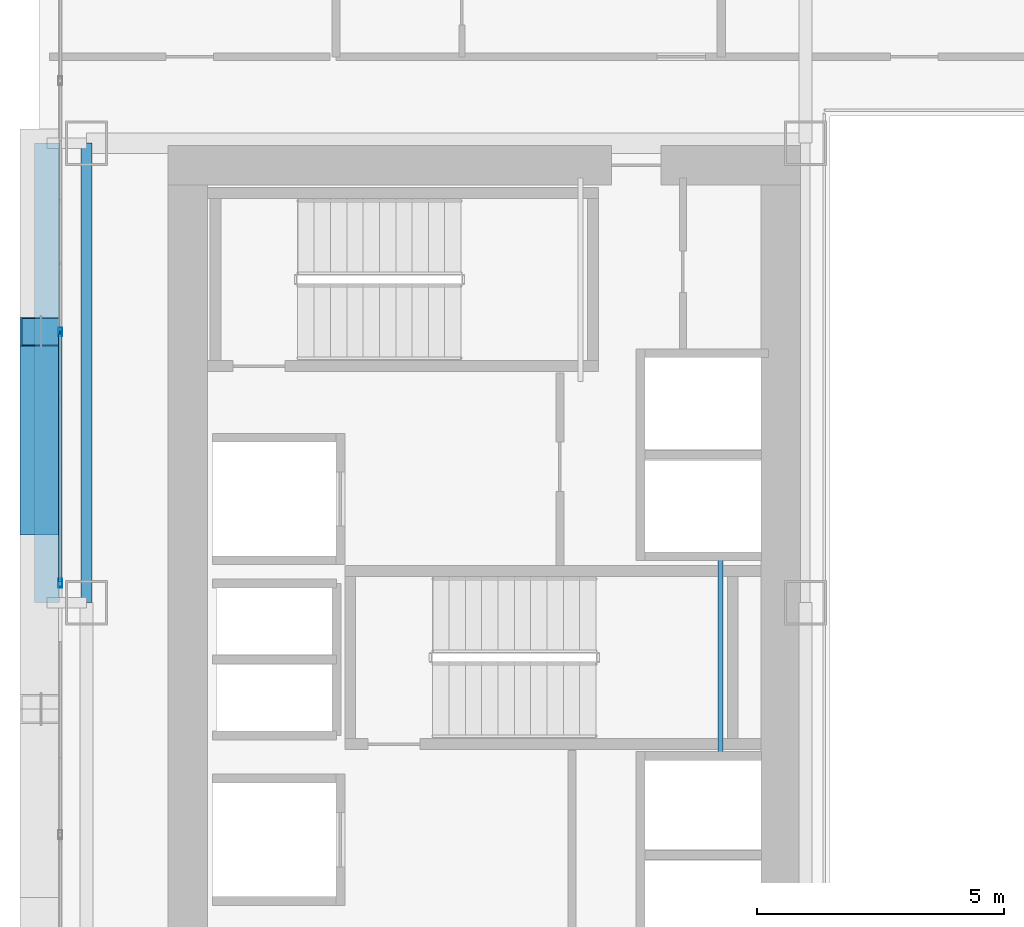
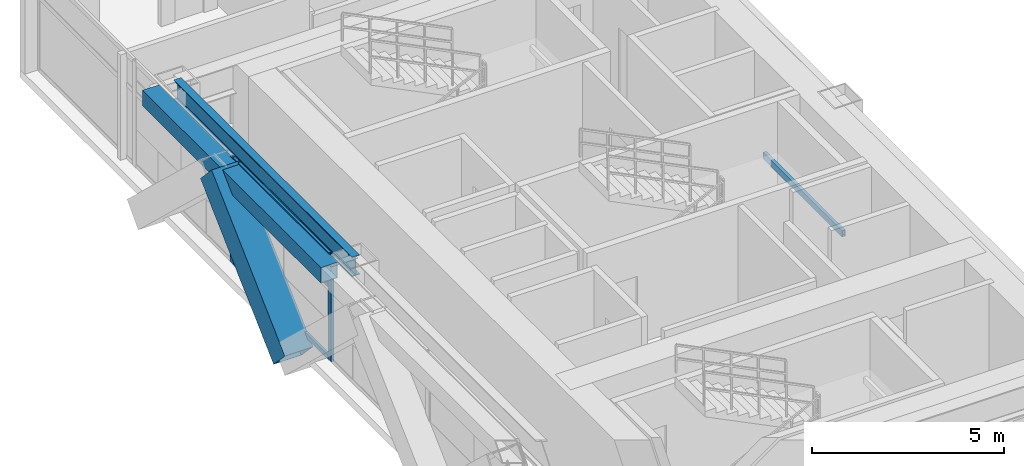
# One storey, part 8 of 35: 6 members, 3 beams, 1 element without a shape of its own.
"""IFC4 building model written with IfcOpenShell, lengths in metres."""

import ifcopenshell
import ifcopenshell.guid

model = None  # the IFC model being written
_history = None  # IfcOwnerHistory: only IFC2X3 demands one
_inside = {}  # id of a spatial element -> (the spatial element, [elements in it])
_under = {}  # id of a project, library or spatial element -> (it, [spatial elements below it])
_declared = {}  # id of a project -> (the project, [libraries it declares])
_typed = {}  # id of a type object -> (the type object, [elements of that type])
_made_of = {}  # id of a material, layer set ... -> (it, [elements and type objects made of it])


def new_model(schema):
    """Start an empty IFC model of exactly this schema.

    Asked for "IFC4X3", IfcOpenShell would pick the latest addendum, in which some entities
    have other attributes; the version numbers below select the first issue.
    IFC2X3 requires an IfcOwnerHistory on every rooted entity: one is made here for all.
    """
    global model, _history
    if schema == "IFC4X3":
        model = ifcopenshell.file(schema_version=(4, 3, 0, 0))
    else:
        model = ifcopenshell.file(schema=schema)
    _inside.clear()
    _under.clear()
    _declared.clear()
    _typed.clear()
    _made_of.clear()
    _history = None
    if model.schema == "IFC2X3":
        org = make("IfcOrganization", Name="unknown")
        user = make(
            "IfcPersonAndOrganization",
            ThePerson=make("IfcPerson", FamilyName="unknown"),
            TheOrganization=org,
        )
        app = make(
            "IfcApplication",
            ApplicationDeveloper=org,
            Version="unknown",
            ApplicationFullName="unknown",
            ApplicationIdentifier="unknown",
        )
        _history = make(
            "IfcOwnerHistory",
            OwningUser=user,
            OwningApplication=app,
            ChangeAction="ADDED",
            CreationDate=0,
        )
    return model


def make(cls, **values):
    """One entity of the class cls with the attributes given. An attribute that is None is left unset."""
    return model.create_entity(
        cls, **{name: value for name, value in values.items() if value is not None}
    )


def rooted(cls, **values):
    """An entity with a GlobalId (a new one), such as an element, a storey or a relation."""
    return make(cls, GlobalId=ifcopenshell.guid.new(), OwnerHistory=_history, **values)


def si_unit(unit_type, name, prefix=None):
    """IfcSIUnit, for example si_unit("LENGTHUNIT", "METRE", prefix="MILLI")."""
    return make("IfcSIUnit", UnitType=unit_type, Prefix=prefix, Name=name)


def assignment(units):
    """IfcUnitAssignment: the units of a project."""
    return None if units is None else make("IfcUnitAssignment", Units=units)


def point(xyz):
    """IfcCartesianPoint."""
    return None if xyz is None else make("IfcCartesianPoint", Coordinates=xyz)


def direction(xyz):
    """IfcDirection."""
    return None if xyz is None else make("IfcDirection", DirectionRatios=xyz)


def frame(location, z_axis=None, x_axis=None):
    """IfcAxis2Placement3D, a coordinate frame: its origin and axes. An axis left out is left unset."""
    return make(
        "IfcAxis2Placement3D",
        Location=point(location),
        Axis=direction(z_axis),
        RefDirection=direction(x_axis),
    )


def frame_2d(location, x_axis=None):
    """IfcAxis2Placement2D, a coordinate frame in the plane: its origin and x axis."""
    return make(
        "IfcAxis2Placement2D", Location=point(location), RefDirection=direction(x_axis)
    )


def origin():
    """The frame at (0, 0, 0) with its axes left unset."""
    return frame((0.0, 0.0, 0.0))


def origin_2d():
    """The frame at (0, 0) in the plane with its x axis left unset."""
    return frame_2d((0.0, 0.0))


def place(relative_to, where):
    """IfcLocalPlacement: puts the frame where relative to a parent placement (None: the world)."""
    return make(
        "IfcLocalPlacement", PlacementRelTo=relative_to, RelativePlacement=where
    )


def context(
    kind, dimensions, precision=None, world=None, true_north=None, identifier=None
):
    """IfcGeometricRepresentationContext, for example the 3D "Model" context."""
    return make(
        "IfcGeometricRepresentationContext",
        ContextIdentifier=identifier,
        ContextType=kind,
        CoordinateSpaceDimension=dimensions,
        Precision=precision,
        WorldCoordinateSystem=world,
        TrueNorth=true_north,
    )


def subcontext(parent, identifier, kind, view, scale=None):
    """IfcGeometricRepresentationSubContext, for example "Body" below "Model"."""
    return make(
        "IfcGeometricRepresentationSubContext",
        ContextIdentifier=identifier,
        ContextType=kind,
        ParentContext=parent,
        TargetScale=scale,
        TargetView=view,
    )


def project(units=None, contexts=None):
    """IfcProject with its units and contexts."""
    return rooted(
        "IfcProject",
        Name="project",
        RepresentationContexts=contexts,
        UnitsInContext=assignment(units),
    )


def spatial(cls, under=None, at=None, **own):
    """A site, building, storey or space (cls), placed at a placement, below another one or the project."""
    s = rooted(cls, ObjectPlacement=at, **own)
    if under is not None:
        _under.setdefault(under.id(), (under, []))[1].append(s)
    return s


def profile(cls, at=None, kind="AREA", **sizes):
    """A parametric profile (cls). Its sizes go by their IFC names, for example OverallWidth=200.0."""
    return make(cls, ProfileType=kind, Position=at, **sizes)


def hollow_rectangle(**sizes):
    """IfcRectangleHollowProfileDef."""
    return profile("IfcRectangleHollowProfileDef", **sizes)


def i_section(**sizes):
    """IfcIShapeProfileDef."""
    return profile("IfcIShapeProfileDef", **sizes)


def extrude(swept, where, along, depth):
    """IfcExtrudedAreaSolid: the profile swept, set in the frame where, extruded along a direction by depth."""
    return make(
        "IfcExtrudedAreaSolid",
        SweptArea=swept,
        Position=where,
        ExtrudedDirection=direction(along),
        Depth=depth,
    )


def shape(context_of_items, identifier, shape_type, items):
    """IfcShapeRepresentation: the items that make up one representation, for example the "Body"."""
    return make(
        "IfcShapeRepresentation",
        ContextOfItems=context_of_items,
        RepresentationIdentifier=identifier,
        RepresentationType=shape_type,
        Items=items,
    )


def source(mapping_origin, context_of_items, identifier, shape_type, items):
    """IfcRepresentationMap: a shape defined once, which mapped items show again and again."""
    return make(
        "IfcRepresentationMap",
        MappingOrigin=mapping_origin,
        MappedRepresentation=shape(context_of_items, identifier, shape_type, items),
    )


def transform(
    local_origin,
    x_axis=None,
    y_axis=None,
    z_axis=None,
    scale=None,
    scale2=None,
    scale3=None,
    uniform=True,
):
    """IfcCartesianTransformationOperator3D, or its non-uniform kind. x_axis, y_axis, z_axis: its Axis1, 2, 3."""
    if uniform:
        return make(
            "IfcCartesianTransformationOperator3D",
            Axis1=direction(x_axis),
            Axis2=direction(y_axis),
            LocalOrigin=point(local_origin),
            Scale=scale,
            Axis3=direction(z_axis),
        )
    return make(
        "IfcCartesianTransformationOperator3DnonUniform",
        Axis1=direction(x_axis),
        Axis2=direction(y_axis),
        LocalOrigin=point(local_origin),
        Scale=scale,
        Axis3=direction(z_axis),
        Scale2=scale2,
        Scale3=scale3,
    )


def mapped(mapping_source, mapping_target):
    """IfcMappedItem: shows the shape of a source again, moved by a transform."""
    return make(
        "IfcMappedItem", MappingSource=mapping_source, MappingTarget=mapping_target
    )


def material(Name=None, Category=None):
    """IfcMaterial."""
    return make("IfcMaterial", Name=Name, Category=Category)


def layer(
    of_material, thickness, ventilated=None, Name=None, Category=None, Priority=None
):
    """IfcMaterialLayer: one layer of a wall or slab, of a material (None: an air gap)."""
    return make(
        "IfcMaterialLayer",
        Material=of_material,
        LayerThickness=thickness,
        IsVentilated=ventilated,
        Name=Name,
        Category=Category,
        Priority=Priority,
    )


def layer_set(layers, Name=None):
    """IfcMaterialLayerSet."""
    return make("IfcMaterialLayerSet", MaterialLayers=layers, LayerSetName=Name)


def material_profile(
    of_material, cross_section, Name=None, Category=None, Priority=None
):
    """IfcMaterialProfile: a cross section and its material."""
    return make(
        "IfcMaterialProfile",
        Name=Name,
        Material=of_material,
        Profile=cross_section,
        Priority=Priority,
        Category=Category,
    )


def profile_set(profiles, Name=None, composite=None):
    """IfcMaterialProfileSet."""
    return make(
        "IfcMaterialProfileSet",
        Name=Name,
        MaterialProfiles=profiles,
        CompositeProfile=composite,
    )


def made_of(thing, what):
    """Note that an element or type object is made of a material, layer set ...; save() writes the relation."""
    if what is not None:
        _made_of.setdefault(what.id(), (what, []))[1].append(thing)
    return thing


def type_object(cls, material=None, **own):
    """A type object (cls), such as IfcWallType, which elements share."""
    return made_of(rooted(cls, **own), material)


def element(
    cls,
    number,
    at=None,
    inside=None,
    cuts=None,
    type_object=None,
    material=None,
    context=None,
    identifier="Body",
    shape_type=None,
    held_by="IfcProductDefinitionShape",
    body=None,
    shapes=None,
    **own,
):
    """One element of the class cls, such as IfcWall. Its Tag is "e" and its number.

    at: its placement. inside: the storey or other place that contains it. cuts: it is an
    opening in that element (IfcRelVoidsElement). A single representation is given by context,
    identifier, shape_type and body (its items); several are given by shapes. held_by: the class
    of the entity that holds the representations. save() writes the other relations.
    """
    e = rooted(cls, Tag="e%d" % number, ObjectPlacement=at, **own)
    if body is not None:
        shapes = [shape(context, identifier, shape_type, body)]
    if shapes is not None:
        e.Representation = make(held_by, Representations=shapes)
    if inside is not None:
        _inside.setdefault(inside.id(), (inside, []))[1].append(e)
    if cuts is not None:
        rooted(
            "IfcRelVoidsElement", RelatingBuildingElement=cuts, RelatedOpeningElement=e
        )
    if type_object is not None:
        _typed.setdefault(type_object.id(), (type_object, []))[1].append(e)
    return made_of(e, material)


def aggregate(whole, parts):
    """IfcRelAggregates: a whole, such as a stair, and the parts it consists of."""
    return rooted("IfcRelAggregates", RelatingObject=whole, RelatedObjects=parts)


def save(model, path):
    """Write the relations noted so far, then the file.

    IfcRelAggregates (storeys below a building ...), IfcRelContainedInSpatialStructure (elements
    in a storey), IfcRelDefinesByType, IfcRelAssociatesMaterial and IfcRelDeclares: one each for
    every whole, place, type object, material and project.
    """
    for whole, parts in _under.values():
        aggregate(whole, parts)
    for where, things in _inside.values():
        rooted(
            "IfcRelContainedInSpatialStructure",
            RelatedElements=things,
            RelatingStructure=where,
        )
    for kind, things in _typed.values():
        rooted("IfcRelDefinesByType", RelatedObjects=things, RelatingType=kind)
    for what, things in _made_of.values():
        rooted("IfcRelAssociatesMaterial", RelatedObjects=things, RelatingMaterial=what)
    for by, libraries in _declared.values():
        rooted("IfcRelDeclares", RelatingContext=by, RelatedDefinitions=libraries)
    model.write(path)


model = new_model("IFC4")

# Units and contexts
model_context = context("Model", 3, precision=1e-05, world=origin(), true_north=direction((0.0, 1.0)))
body_context = subcontext(model_context, "Body", "Model", "MODEL_VIEW")
ifc_project = project(units=[si_unit("LENGTHUNIT", "METRE"), si_unit("AREAUNIT", "SQUARE_METRE"), si_unit("VOLUMEUNIT", "CUBIC_METRE"), si_unit("PLANEANGLEUNIT", "RADIAN"), si_unit("MASSUNIT", "GRAM", prefix="KILO")], contexts=[model_context])

# Site, building, storey
site_placement = place(None, origin())
site = spatial("IfcSite", under=ifc_project, at=site_placement, CompositionType="ELEMENT")
building_placement = place(site_placement, origin())
building = spatial("IfcBuilding", under=site, at=building_placement, Name="Ocotamira Hotel", CompositionType="ELEMENT")
storey_placement = place(building_placement, frame((0.0, 0.0, 56.39990234375)))
storey = spatial("IfcBuildingStorey", under=building, at=storey_placement, Name="L13", CompositionType="ELEMENT", Elevation=56.39990234375)

# Beams
ifc_material_1 = material(Name="Steel ASTM A500 Grade C", Category="steel")
ifc_material_profile_1 = material_profile(ifc_material_1, hollow_rectangle(XDim=0.10009765625, YDim=0.199951171875, WallThickness=0.008056640625, at=origin_2d()), Name="HSS200X100X8")
ifc_profile_set_1 = profile_set([ifc_material_profile_1], Name="Steel ASTM A500 Grade C")
beam_type_1 = type_object("IfcBeamType", Name="BM-STLDG-HSS200", PredefinedType="BEAM", material=ifc_profile_set_1)
shared_shape_1 = source(origin(), body_context, "Body", "SweptSolid", [
    extrude(hollow_rectangle(XDim=0.10009765625, YDim=0.199951171875, WallThickness=0.008056640625, at=origin_2d()), origin(), (0.0, 0.0, 1.0), 4.1201171875),
])
beam_1_placement = place(storey_placement, frame((21.780029296875, 24.97998046875, 1.5), z_axis=(0.0, 1.0, 0.0), x_axis=(-1.0, 0.0, 0.0)))
element("IfcBeam", 1, at=beam_1_placement, inside=storey, type_object=beam_type_1, Name="L13 Stair ST-3 Landing Bearer 1", PredefinedType="BEAM", context=body_context, shape_type="MappedRepresentation", body=[
    mapped(shared_shape_1, transform((0.0, 0.0, 0.0), scale=1.0)),
])
ifc_material_2 = material(Name="Steel ASTM A992 Grade 50", Category="steel")
ifc_material_profile_2 = material_profile(ifc_material_2, i_section(OverallWidth=0.22998046875, OverallDepth=0.616943359375, WebThickness=0.01318359375, FlangeThickness=0.022216796875, FilletRadius=0.012939453125, at=origin_2d()), Name="W24X94")
ifc_profile_set_2 = profile_set([ifc_material_profile_2], Name="Steel ASTM A992 Grade 50")
beam_type_2 = type_object("IfcBeamType", Name="BM-PRIM-W24X94", PredefinedType="BEAM", material=ifc_profile_set_2)
shared_shape_2 = source(origin(), body_context, "Body", "SweptSolid", [
    extrude(i_section(OverallWidth=0.22998046875, OverallDepth=0.616943359375, WebThickness=0.01318359375, FlangeThickness=0.022216796875, FilletRadius=0.012939453125, at=origin_2d()), origin(), (0.0, 0.0, 1.0), 9.300048828125),
])
beam_2_placement = place(storey_placement, frame((8.949951171875, 28.14990234375, 3.04150390625), z_axis=(0.0, 1.0, 0.0), x_axis=(-1.0, 0.0, 0.0)))
element("IfcBeam", 2, at=beam_2_placement, inside=storey, type_object=beam_type_2, Name="L13 Beam X8.95 Y28.15-37.45", PredefinedType="BEAM", context=body_context, shape_type="MappedRepresentation", body=[
    mapped(shared_shape_2, transform((0.0, 0.0, 0.0), scale=1.0)),
])
ifc_material_profile_3 = material_profile(ifc_material_1, hollow_rectangle(XDim=0.5, YDim=0.5, WallThickness=0.02001953125, at=origin_2d()), Name="HSS500X500X20")
ifc_profile_set_3 = profile_set([ifc_material_profile_3], Name="Steel ASTM A500 Grade C")
beam_type_3 = type_object("IfcBeamType", Name="BM-SPAN-HSS500", PredefinedType="USERDEFINED", material=ifc_profile_set_3)
shared_shape_3 = source(origin(), body_context, "Body", "SweptSolid", [
    extrude(hollow_rectangle(XDim=0.5, YDim=0.5, WallThickness=0.02001953125, at=origin_2d()), origin(), (0.0, 0.0, 1.0), 9.300048828125),
])
beam_3_placement = place(storey_placement, frame((8.14990234375, 28.14990234375, 3.10009765625), z_axis=(0.0, 1.0, 0.0), x_axis=(-1.0, 0.0, 0.0)))
element("IfcBeam", 3, at=beam_3_placement, inside=storey, type_object=beam_type_3, Name="L13 Edge Spandrel W Y28.15-37.45", ObjectType="SPANDREL", PredefinedType="USERDEFINED", context=body_context, shape_type="MappedRepresentation", body=[
    mapped(shared_shape_3, transform((0.0, 0.0, 0.0), scale=1.0)),
])

# Member
ifc_material_3 = material(Name="Pale-metal coated steel ASTM A913 Grade 65", Category="steel")
ifc_material_profile_4 = material_profile(ifc_material_3, hollow_rectangle(XDim=0.85009765625, YDim=0.85009765625, WallThickness=0.035888671875, at=origin_2d()), Name="BOX850X850X36")
ifc_profile_set_4 = profile_set([ifc_material_profile_4], Name="Pale-metal coated steel ASTM A913 Grade 65")
member_type_1 = type_object("IfcMemberType", Name="MEM-EXO-BOX850", PredefinedType="BRACE", material=ifc_profile_set_4)
shared_shape_4 = source(origin(), body_context, "Body", "SweptSolid", [
    extrude(hollow_rectangle(XDim=0.85009765625, YDim=0.85009765625, WallThickness=0.035888671875, at=origin_2d()), origin(), (0.0, 0.0, 1.0), 5.24658203125),
])
member_1_placement = place(storey_placement, frame((8.030029296875, 29.816650390625, -0.5), z_axis=(0.0, 0.727442733726, 0.686168397078), x_axis=(-1.0, 0.0, 0.0)))
element("IfcMember", 4, at=member_1_placement, inside=storey, type_object=member_type_1, Name="L13 Exoskeleton Diagrid W2.1", PredefinedType="BRACE", context=body_context, shape_type="MappedRepresentation", body=[
    mapped(shared_shape_4, transform((0.0, 0.0, 0.0), scale=1.0)),
])

# Curtain wall, members
ifc_material_4 = material(Name="Anodised pale-metal aluminium and solar glass", Category="aluminium")
ifc_layer = layer(ifc_material_4, 0.179931640625)
ifc_layer_set = layer_set([ifc_layer], Name="Anodised pale-metal aluminium and solar glass")
curtain_wall_type = type_object("IfcCurtainWallType", Name="CW-SYS2-Z1", PredefinedType="NOTDEFINED", material=ifc_layer_set)
curtain_wall_placement = place(storey_placement, origin())
curtain_wall = element("IfcCurtainWall", 5, at=curtain_wall_placement, inside=storey, type_object=curtain_wall_type, Name="L13 Curtain Wall CW-2 CW-L13-W", PredefinedType="NOTDEFINED")
ifc_material_5 = material(Name="Anodised pale-metal aluminium 6063-T6", Category="aluminium")
ifc_material_profile_5 = material_profile(ifc_material_5, hollow_rectangle(XDim=0.074951171875, YDim=0.14990234375, WallThickness=0.006103515625, at=origin_2d()), Name="HSS150X75X6")
ifc_profile_set_5 = profile_set([ifc_material_profile_5], Name="Anodised pale-metal aluminium 6063-T6")
member_type_2 = type_object("IfcMemberType", Name="CWT-150X75", PredefinedType="USERDEFINED", material=ifc_profile_set_5)
shared_shape_5 = source(origin(), body_context, "Body", "SweptSolid", [
    extrude(hollow_rectangle(XDim=0.074951171875, YDim=0.14990234375, WallThickness=0.006103515625, at=origin_2d()), origin(), (0.0, 0.0, 1.0), 5.005859375),
])
member_2_placement = place(storey_placement, frame((8.419921875, 28.582763671875, 0.03759765625), z_axis=(0.0, 1.0, 0.0), x_axis=(-1.0, 0.0, 0.0)))
member_2 = element("IfcMember", 6, at=member_2_placement, type_object=member_type_2, Name="CW-2 transom 5.1", ObjectType="TRANSOM", PredefinedType="USERDEFINED", context=body_context, shape_type="MappedRepresentation", body=[
    mapped(shared_shape_5, transform((0.0, 0.0, 0.0), scale=1.0)),
])
member_3_placement = place(storey_placement, frame((8.419921875, 28.582763671875, 2.35009765625), z_axis=(0.0, 1.0, 0.0), x_axis=(-1.0, 0.0, 0.0)))
member_3 = element("IfcMember", 7, at=member_3_placement, type_object=member_type_2, Name="CW-2 transom 5.2", ObjectType="TRANSOM", PredefinedType="USERDEFINED", context=body_context, shape_type="MappedRepresentation", body=[
    mapped(shared_shape_5, transform((0.0, 0.0, 0.0), scale=1.0)),
])
member_4_placement = place(storey_placement, frame((8.419921875, 28.582763671875, 3.3125), z_axis=(0.0, 1.0, 0.0), x_axis=(-1.0, 0.0, 0.0)))
member_4 = element("IfcMember", 8, at=member_4_placement, type_object=member_type_2, Name="CW-2 transom 5.3", ObjectType="TRANSOM", PredefinedType="USERDEFINED", context=body_context, shape_type="MappedRepresentation", body=[
    mapped(shared_shape_5, transform((0.0, 0.0, 0.0), scale=1.0)),
])
ifc_material_profile_6 = material_profile(ifc_material_5, hollow_rectangle(XDim=0.080078125, YDim=0.179931640625, WallThickness=0.006103515625, at=origin_2d()), Name="HSS180X80X6")
ifc_profile_set_6 = profile_set([ifc_material_profile_6], Name="Anodised pale-metal aluminium 6063-T6")
member_type_3 = type_object("IfcMemberType", Name="CWM-180X75", PredefinedType="MULLION", material=ifc_profile_set_6)
shared_shape_6 = source(origin(), body_context, "Body", "SweptSolid", [
    extrude(hollow_rectangle(XDim=0.080078125, YDim=0.179931640625, WallThickness=0.006103515625, at=origin_2d()), origin(), (0.0, 0.0, 1.0), 3.35009765625),
])
member_5_placement = place(storey_placement, frame((8.419921875, 28.54296875, 0.0), z_axis=(0.0, 0.0, 1.0), x_axis=(-1.0, 0.0, 0.0)))
member_5 = element("IfcMember", 9, at=member_5_placement, type_object=member_type_3, Name="CW-2 mullion 5", PredefinedType="MULLION", context=body_context, shape_type="MappedRepresentation", body=[
    mapped(shared_shape_6, transform((0.0, 0.0, 0.0), scale=1.0)),
])
member_6_placement = place(storey_placement, frame((8.419921875, 33.628662109375, 0.0), z_axis=(0.0, 0.0, 1.0), x_axis=(-1.0, 0.0, 0.0)))
member_6 = element("IfcMember", 10, at=member_6_placement, type_object=member_type_3, Name="CW-2 mullion 6", PredefinedType="MULLION", context=body_context, shape_type="MappedRepresentation", body=[
    mapped(shared_shape_6, transform((0.0, 0.0, 0.0), scale=1.0)),
])
aggregate(curtain_wall, [member_5, member_6, member_2, member_3, member_4])

save(model, "model.ifc")
